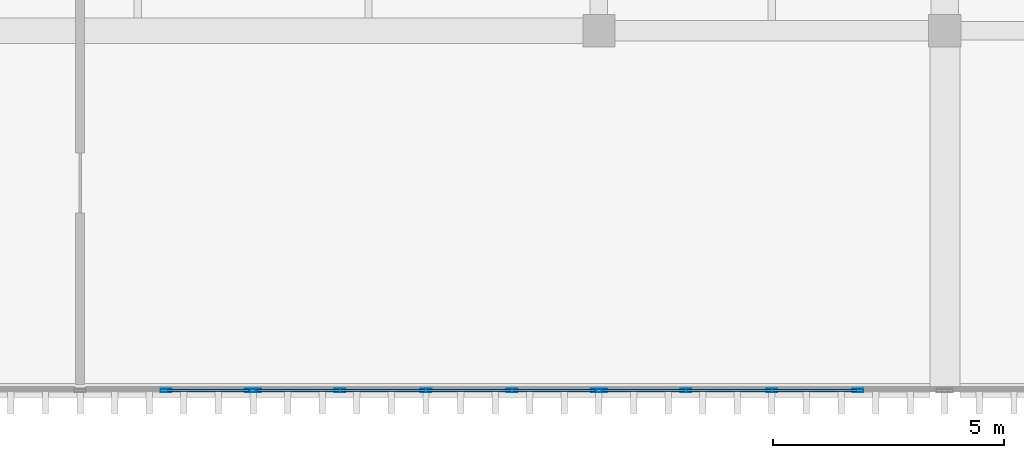
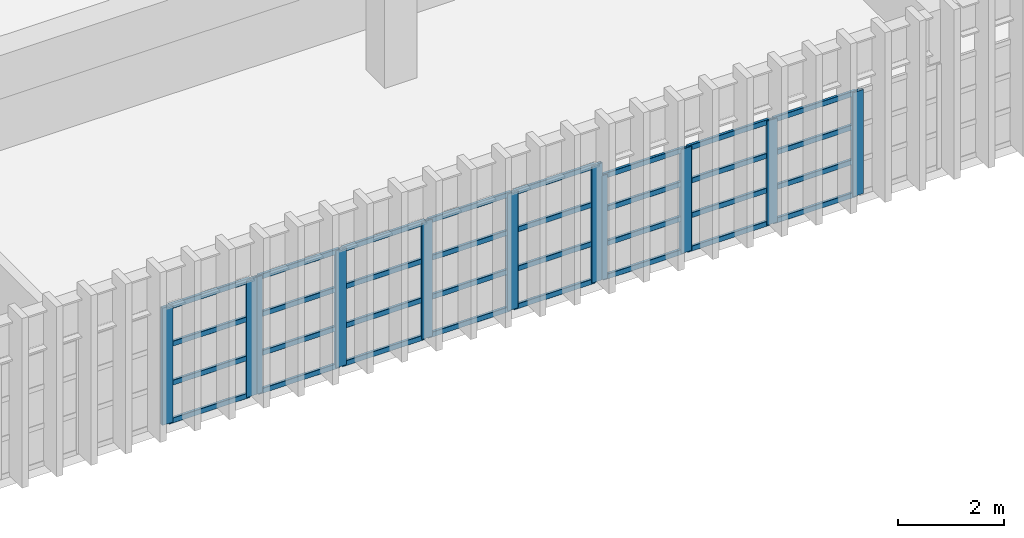
# One storey, part 29 of 82: 43 members, 3 elements without a shape of their own.
"""IFC4 building model written with IfcOpenShell, lengths in metres."""

from ifc_helpers import new_model, si_unit, direction, frame, origin, origin_2d, place, context, subcontext, project, spatial, hollow_rectangle, extrude, material, material_profile, profile_set, type_object, element, aggregate, save


model = new_model("IFC4")

# Units and contexts
model_context = context("Model", 3, precision=1e-05, world=origin(), true_north=direction((0.0, 1.0)))
body_context = subcontext(model_context, "Body", "Model", "MODEL_VIEW")
ifc_project = project(units=[si_unit("LENGTHUNIT", "METRE"), si_unit("AREAUNIT", "SQUARE_METRE"), si_unit("VOLUMEUNIT", "CUBIC_METRE"), si_unit("PLANEANGLEUNIT", "RADIAN"), si_unit("MASSUNIT", "GRAM", prefix="KILO")], contexts=[model_context])

# Site, building, storey
site_placement = place(None, origin())
site = spatial("IfcSite", under=ifc_project, at=site_placement, CompositionType="ELEMENT")
building_placement = place(site_placement, origin())
building = spatial("IfcBuilding", under=site, at=building_placement, Name="Qasida Concert Hall", CompositionType="ELEMENT")
storey_placement = place(building_placement, frame((0.0, 0.0, 17.10009765625)))
storey = spatial("IfcBuildingStorey", under=building, at=storey_placement, Name="L04", CompositionType="ELEMENT", Elevation=17.10009765625)

# Curtain wall, members
ifc_material_1 = material(Name="Architectural bronze-anodized aluminium and low-E glass", Category="aluminium")
curtain_wall_type = type_object("IfcCurtainWallType", Name="CW-10", PredefinedType="NOTDEFINED", material=ifc_material_1)
curtain_wall_1_placement = place(storey_placement, origin())
curtain_wall_1 = element("IfcCurtainWall", 1, at=curtain_wall_1_placement, inside=storey, type_object=curtain_wall_type, Name="L04 curtain wall CW-10 0025", PredefinedType="NOTDEFINED")
ifc_material_2 = material(Name="Architectural bronze-anodized aluminium EN AW-6063", Category="aluminium")
ifc_material_profile_1 = material_profile(ifc_material_2, hollow_rectangle(XDim=0.070068359375, YDim=0.239990234375, WallThickness=0.0048828125, InnerFilletRadius=0.0048828125, OuterFilletRadius=0.010009765625, at=origin_2d()), Name="CWM 240x70x5")
ifc_profile_set_1 = profile_set([ifc_material_profile_1], Name="Architectural bronze-anodized aluminium EN AW-6063")
member_type_1 = type_object("IfcMemberType", Name="MB-CWM-1", PredefinedType="MULLION", material=ifc_profile_set_1)
member_1_placement = place(storey_placement, frame((80.614990234375, 14.699951171875, 0.0), z_axis=(0.0, 0.0, 1.0), x_axis=(0.0, 1.0, 0.0)))
member_1 = element("IfcMember", 2, at=member_1_placement, type_object=member_type_1, Name="CW-10 mullion 4", PredefinedType="MULLION", context=body_context, shape_type="SweptSolid", body=[
    extrude(hollow_rectangle(XDim=0.070068359375, YDim=0.239990234375, WallThickness=0.0048828125, InnerFilletRadius=0.0048828125, OuterFilletRadius=0.010009765625, at=origin_2d()), origin(), (0.0, 0.0, 1.0), 2.68994140625),
])
member_2_placement = place(storey_placement, frame((82.445068359375, 14.699951171875, 0.0), z_axis=(0.0, 0.0, 1.0), x_axis=(0.0, 1.0, 0.0)))
member_2 = element("IfcMember", 3, at=member_2_placement, type_object=member_type_1, Name="CW-10 mullion 5", PredefinedType="MULLION", context=body_context, shape_type="SweptSolid", body=[
    extrude(hollow_rectangle(XDim=0.070068359375, YDim=0.239990234375, WallThickness=0.0048828125, InnerFilletRadius=0.0048828125, OuterFilletRadius=0.010009765625, at=origin_2d()), origin(), (0.0, 0.0, 1.0), 2.68994140625),
])

curtain_wall_2_placement = place(storey_placement, origin())
curtain_wall_2 = element("IfcCurtainWall", 4, at=curtain_wall_2_placement, inside=storey, type_object=curtain_wall_type, Name="L04 curtain wall CW-10 0026", PredefinedType="NOTDEFINED")
member_3_placement = place(storey_placement, frame((82.554931640625, 14.699951171875, 0.0), z_axis=(0.0, 0.0, 1.0), x_axis=(0.0, 1.0, 0.0)))
member_3 = element("IfcMember", 5, at=member_3_placement, type_object=member_type_1, Name="CW-10 mullion 1", PredefinedType="MULLION", context=body_context, shape_type="SweptSolid", body=[
    extrude(hollow_rectangle(XDim=0.070068359375, YDim=0.239990234375, WallThickness=0.0048828125, InnerFilletRadius=0.0048828125, OuterFilletRadius=0.010009765625, at=origin_2d()), origin(), (0.0, 0.0, 1.0), 2.68994140625),
])
member_4_placement = place(storey_placement, frame((84.385009765625, 14.699951171875, 0.0), z_axis=(0.0, 0.0, 1.0), x_axis=(0.0, 1.0, 0.0)))
member_4 = element("IfcMember", 6, at=member_4_placement, type_object=member_type_1, Name="CW-10 mullion 2", PredefinedType="MULLION", context=body_context, shape_type="SweptSolid", body=[
    extrude(hollow_rectangle(XDim=0.070068359375, YDim=0.239990234375, WallThickness=0.0048828125, InnerFilletRadius=0.0048828125, OuterFilletRadius=0.010009765625, at=origin_2d()), origin(), (0.0, 0.0, 1.0), 2.68994140625),
])
member_5_placement = place(storey_placement, frame((86.25, 14.699951171875, 0.0), z_axis=(0.0, 0.0, 1.0), x_axis=(0.0, 1.0, 0.0)))
member_5 = element("IfcMember", 7, at=member_5_placement, type_object=member_type_1, Name="CW-10 mullion 3", PredefinedType="MULLION", context=body_context, shape_type="SweptSolid", body=[
    extrude(hollow_rectangle(XDim=0.070068359375, YDim=0.239990234375, WallThickness=0.0048828125, InnerFilletRadius=0.0048828125, OuterFilletRadius=0.010009765625, at=origin_2d()), origin(), (0.0, 0.0, 1.0), 2.68994140625),
])
member_6_placement = place(storey_placement, frame((88.114990234375, 14.699951171875, 0.0), z_axis=(0.0, 0.0, 1.0), x_axis=(0.0, 1.0, 0.0)))
member_6 = element("IfcMember", 8, at=member_6_placement, type_object=member_type_1, Name="CW-10 mullion 4", PredefinedType="MULLION", context=body_context, shape_type="SweptSolid", body=[
    extrude(hollow_rectangle(XDim=0.070068359375, YDim=0.239990234375, WallThickness=0.0048828125, InnerFilletRadius=0.0048828125, OuterFilletRadius=0.010009765625, at=origin_2d()), origin(), (0.0, 0.0, 1.0), 2.68994140625),
])
member_7_placement = place(storey_placement, frame((89.945068359375, 14.699951171875, 0.0), z_axis=(0.0, 0.0, 1.0), x_axis=(0.0, 1.0, 0.0)))
member_7 = element("IfcMember", 9, at=member_7_placement, type_object=member_type_1, Name="CW-10 mullion 5", PredefinedType="MULLION", context=body_context, shape_type="SweptSolid", body=[
    extrude(hollow_rectangle(XDim=0.070068359375, YDim=0.239990234375, WallThickness=0.0048828125, InnerFilletRadius=0.0048828125, OuterFilletRadius=0.010009765625, at=origin_2d()), origin(), (0.0, 0.0, 1.0), 2.68994140625),
])

curtain_wall_3_placement = place(storey_placement, origin())
curtain_wall_3 = element("IfcCurtainWall", 10, at=curtain_wall_3_placement, inside=storey, type_object=curtain_wall_type, Name="L04 curtain wall CW-10 0027", PredefinedType="NOTDEFINED")
member_8_placement = place(storey_placement, frame((90.054931640625, 14.699951171875, 0.0), z_axis=(0.0, 0.0, 1.0), x_axis=(0.0, 1.0, 0.0)))
member_8 = element("IfcMember", 11, at=member_8_placement, type_object=member_type_1, Name="CW-10 mullion 1", PredefinedType="MULLION", context=body_context, shape_type="SweptSolid", body=[
    extrude(hollow_rectangle(XDim=0.070068359375, YDim=0.239990234375, WallThickness=0.0048828125, InnerFilletRadius=0.0048828125, OuterFilletRadius=0.010009765625, at=origin_2d()), origin(), (0.0, 0.0, 1.0), 2.389892578125),
])
member_9_placement = place(storey_placement, frame((91.885009765625, 14.699951171875, 0.0), z_axis=(0.0, 0.0, 1.0), x_axis=(0.0, 1.0, 0.0)))
member_9 = element("IfcMember", 12, at=member_9_placement, type_object=member_type_1, Name="CW-10 mullion 2", PredefinedType="MULLION", context=body_context, shape_type="SweptSolid", body=[
    extrude(hollow_rectangle(XDim=0.070068359375, YDim=0.239990234375, WallThickness=0.0048828125, InnerFilletRadius=0.0048828125, OuterFilletRadius=0.010009765625, at=origin_2d()), origin(), (0.0, 0.0, 1.0), 2.389892578125),
])
member_10_placement = place(storey_placement, frame((93.75, 14.699951171875, 0.0), z_axis=(0.0, 0.0, 1.0), x_axis=(0.0, 1.0, 0.0)))
member_10 = element("IfcMember", 13, at=member_10_placement, type_object=member_type_1, Name="CW-10 mullion 3", PredefinedType="MULLION", context=body_context, shape_type="SweptSolid", body=[
    extrude(hollow_rectangle(XDim=0.070068359375, YDim=0.239990234375, WallThickness=0.0048828125, InnerFilletRadius=0.0048828125, OuterFilletRadius=0.010009765625, at=origin_2d()), origin(), (0.0, 0.0, 1.0), 2.389892578125),
])
member_11_placement = place(storey_placement, frame((95.614990234375, 14.699951171875, 0.0), z_axis=(0.0, 0.0, 1.0), x_axis=(0.0, 1.0, 0.0)))
member_11 = element("IfcMember", 14, at=member_11_placement, type_object=member_type_1, Name="CW-10 mullion 4", PredefinedType="MULLION", context=body_context, shape_type="SweptSolid", body=[
    extrude(hollow_rectangle(XDim=0.070068359375, YDim=0.239990234375, WallThickness=0.0048828125, InnerFilletRadius=0.0048828125, OuterFilletRadius=0.010009765625, at=origin_2d()), origin(), (0.0, 0.0, 1.0), 2.389892578125),
])

# Member
ifc_material_profile_2 = material_profile(ifc_material_2, hollow_rectangle(XDim=0.06005859375, YDim=0.1201171875, WallThickness=0.00390625, InnerFilletRadius=0.00390625, OuterFilletRadius=0.008056640625, at=origin_2d()), Name="CWT 120x60x4")
ifc_profile_set_2 = profile_set([ifc_material_profile_2], Name="Architectural bronze-anodized aluminium EN AW-6063")
member_type_2 = type_object("IfcMemberType", Name="MB-CWT-2", PredefinedType="USERDEFINED", material=ifc_profile_set_2)
member_12_placement = place(storey_placement, frame((80.64990234375, 14.699951171875, 0.02978515625), z_axis=(1.0, 0.0, 0.0), x_axis=(0.0, 1.0, 0.0)))
member_12 = element("IfcMember", 15, at=member_12_placement, type_object=member_type_2, Name="CW-10 transom 4.1", ObjectType="TRANSOM", PredefinedType="USERDEFINED", context=body_context, shape_type="SweptSolid", body=[
    extrude(hollow_rectangle(XDim=0.06005859375, YDim=0.1201171875, WallThickness=0.00390625, InnerFilletRadius=0.00390625, OuterFilletRadius=0.008056640625, at=origin_2d()), origin(), (0.0, 0.0, 1.0), 1.760009765625),
])

member_13_placement = place(storey_placement, frame((80.64990234375, 14.699951171875, 0.896484375), z_axis=(1.0, 0.0, 0.0), x_axis=(0.0, 1.0, 0.0)))
member_13 = element("IfcMember", 16, at=member_13_placement, type_object=member_type_2, Name="CW-10 transom 4.2", ObjectType="TRANSOM", PredefinedType="USERDEFINED", context=body_context, shape_type="SweptSolid", body=[
    extrude(hollow_rectangle(XDim=0.06005859375, YDim=0.1201171875, WallThickness=0.00390625, InnerFilletRadius=0.00390625, OuterFilletRadius=0.008056640625, at=origin_2d()), origin(), (0.0, 0.0, 1.0), 1.760009765625),
])

member_14_placement = place(storey_placement, frame((80.64990234375, 14.699951171875, 1.793212890625), z_axis=(1.0, 0.0, 0.0), x_axis=(0.0, 1.0, 0.0)))
member_14 = element("IfcMember", 17, at=member_14_placement, type_object=member_type_2, Name="CW-10 transom 4.3", ObjectType="TRANSOM", PredefinedType="USERDEFINED", context=body_context, shape_type="SweptSolid", body=[
    extrude(hollow_rectangle(XDim=0.06005859375, YDim=0.1201171875, WallThickness=0.00390625, InnerFilletRadius=0.00390625, OuterFilletRadius=0.008056640625, at=origin_2d()), origin(), (0.0, 0.0, 1.0), 1.760009765625),
])

member_15_placement = place(storey_placement, frame((80.64990234375, 14.699951171875, 2.659912109375), z_axis=(1.0, 0.0, 0.0), x_axis=(0.0, 1.0, 0.0)))
member_15 = element("IfcMember", 18, at=member_15_placement, type_object=member_type_2, Name="CW-10 transom 4.4", ObjectType="TRANSOM", PredefinedType="USERDEFINED", context=body_context, shape_type="SweptSolid", body=[
    extrude(hollow_rectangle(XDim=0.06005859375, YDim=0.1201171875, WallThickness=0.00390625, InnerFilletRadius=0.00390625, OuterFilletRadius=0.008056640625, at=origin_2d()), origin(), (0.0, 0.0, 1.0), 1.760009765625),
])

aggregate(curtain_wall_1, [member_1, member_2, member_12, member_13, member_14, member_15])

member_16_placement = place(storey_placement, frame((82.590087890625, 14.699951171875, 0.02978515625), z_axis=(1.0, 0.0, 0.0), x_axis=(0.0, 1.0, 0.0)))
member_16 = element("IfcMember", 19, at=member_16_placement, type_object=member_type_2, Name="CW-10 transom 1.1", ObjectType="TRANSOM", PredefinedType="USERDEFINED", context=body_context, shape_type="SweptSolid", body=[
    extrude(hollow_rectangle(XDim=0.06005859375, YDim=0.1201171875, WallThickness=0.00390625, InnerFilletRadius=0.00390625, OuterFilletRadius=0.008056640625, at=origin_2d()), origin(), (0.0, 0.0, 1.0), 1.760009765625),
])

member_17_placement = place(storey_placement, frame((82.590087890625, 14.699951171875, 0.896484375), z_axis=(1.0, 0.0, 0.0), x_axis=(0.0, 1.0, 0.0)))
member_17 = element("IfcMember", 20, at=member_17_placement, type_object=member_type_2, Name="CW-10 transom 1.2", ObjectType="TRANSOM", PredefinedType="USERDEFINED", context=body_context, shape_type="SweptSolid", body=[
    extrude(hollow_rectangle(XDim=0.06005859375, YDim=0.1201171875, WallThickness=0.00390625, InnerFilletRadius=0.00390625, OuterFilletRadius=0.008056640625, at=origin_2d()), origin(), (0.0, 0.0, 1.0), 1.760009765625),
])

member_18_placement = place(storey_placement, frame((82.590087890625, 14.699951171875, 1.793212890625), z_axis=(1.0, 0.0, 0.0), x_axis=(0.0, 1.0, 0.0)))
member_18 = element("IfcMember", 21, at=member_18_placement, type_object=member_type_2, Name="CW-10 transom 1.3", ObjectType="TRANSOM", PredefinedType="USERDEFINED", context=body_context, shape_type="SweptSolid", body=[
    extrude(hollow_rectangle(XDim=0.06005859375, YDim=0.1201171875, WallThickness=0.00390625, InnerFilletRadius=0.00390625, OuterFilletRadius=0.008056640625, at=origin_2d()), origin(), (0.0, 0.0, 1.0), 1.760009765625),
])

member_19_placement = place(storey_placement, frame((82.590087890625, 14.699951171875, 2.659912109375), z_axis=(1.0, 0.0, 0.0), x_axis=(0.0, 1.0, 0.0)))
member_19 = element("IfcMember", 22, at=member_19_placement, type_object=member_type_2, Name="CW-10 transom 1.4", ObjectType="TRANSOM", PredefinedType="USERDEFINED", context=body_context, shape_type="SweptSolid", body=[
    extrude(hollow_rectangle(XDim=0.06005859375, YDim=0.1201171875, WallThickness=0.00390625, InnerFilletRadius=0.00390625, OuterFilletRadius=0.008056640625, at=origin_2d()), origin(), (0.0, 0.0, 1.0), 1.760009765625),
])

member_20_placement = place(storey_placement, frame((84.419921875, 14.699951171875, 0.02978515625), z_axis=(1.0, 0.0, 0.0), x_axis=(0.0, 1.0, 0.0)))
member_20 = element("IfcMember", 23, at=member_20_placement, type_object=member_type_2, Name="CW-10 transom 2.1", ObjectType="TRANSOM", PredefinedType="USERDEFINED", context=body_context, shape_type="SweptSolid", body=[
    extrude(hollow_rectangle(XDim=0.06005859375, YDim=0.1201171875, WallThickness=0.00390625, InnerFilletRadius=0.00390625, OuterFilletRadius=0.008056640625, at=origin_2d()), origin(), (0.0, 0.0, 1.0), 1.795166015625),
])

member_21_placement = place(storey_placement, frame((84.419921875, 14.699951171875, 0.896484375), z_axis=(1.0, 0.0, 0.0), x_axis=(0.0, 1.0, 0.0)))
member_21 = element("IfcMember", 24, at=member_21_placement, type_object=member_type_2, Name="CW-10 transom 2.2", ObjectType="TRANSOM", PredefinedType="USERDEFINED", context=body_context, shape_type="SweptSolid", body=[
    extrude(hollow_rectangle(XDim=0.06005859375, YDim=0.1201171875, WallThickness=0.00390625, InnerFilletRadius=0.00390625, OuterFilletRadius=0.008056640625, at=origin_2d()), origin(), (0.0, 0.0, 1.0), 1.795166015625),
])

member_22_placement = place(storey_placement, frame((84.419921875, 14.699951171875, 1.793212890625), z_axis=(1.0, 0.0, 0.0), x_axis=(0.0, 1.0, 0.0)))
member_22 = element("IfcMember", 25, at=member_22_placement, type_object=member_type_2, Name="CW-10 transom 2.3", ObjectType="TRANSOM", PredefinedType="USERDEFINED", context=body_context, shape_type="SweptSolid", body=[
    extrude(hollow_rectangle(XDim=0.06005859375, YDim=0.1201171875, WallThickness=0.00390625, InnerFilletRadius=0.00390625, OuterFilletRadius=0.008056640625, at=origin_2d()), origin(), (0.0, 0.0, 1.0), 1.795166015625),
])

member_23_placement = place(storey_placement, frame((84.419921875, 14.699951171875, 2.659912109375), z_axis=(1.0, 0.0, 0.0), x_axis=(0.0, 1.0, 0.0)))
member_23 = element("IfcMember", 26, at=member_23_placement, type_object=member_type_2, Name="CW-10 transom 2.4", ObjectType="TRANSOM", PredefinedType="USERDEFINED", context=body_context, shape_type="SweptSolid", body=[
    extrude(hollow_rectangle(XDim=0.06005859375, YDim=0.1201171875, WallThickness=0.00390625, InnerFilletRadius=0.00390625, OuterFilletRadius=0.008056640625, at=origin_2d()), origin(), (0.0, 0.0, 1.0), 1.795166015625),
])

member_24_placement = place(storey_placement, frame((86.284912109375, 14.699951171875, 0.02978515625), z_axis=(1.0, 0.0, 0.0), x_axis=(0.0, 1.0, 0.0)))
member_24 = element("IfcMember", 27, at=member_24_placement, type_object=member_type_2, Name="CW-10 transom 3.1", ObjectType="TRANSOM", PredefinedType="USERDEFINED", context=body_context, shape_type="SweptSolid", body=[
    extrude(hollow_rectangle(XDim=0.06005859375, YDim=0.1201171875, WallThickness=0.00390625, InnerFilletRadius=0.00390625, OuterFilletRadius=0.008056640625, at=origin_2d()), origin(), (0.0, 0.0, 1.0), 1.795166015625),
])

member_25_placement = place(storey_placement, frame((86.284912109375, 14.699951171875, 0.896484375), z_axis=(1.0, 0.0, 0.0), x_axis=(0.0, 1.0, 0.0)))
member_25 = element("IfcMember", 28, at=member_25_placement, type_object=member_type_2, Name="CW-10 transom 3.2", ObjectType="TRANSOM", PredefinedType="USERDEFINED", context=body_context, shape_type="SweptSolid", body=[
    extrude(hollow_rectangle(XDim=0.06005859375, YDim=0.1201171875, WallThickness=0.00390625, InnerFilletRadius=0.00390625, OuterFilletRadius=0.008056640625, at=origin_2d()), origin(), (0.0, 0.0, 1.0), 1.795166015625),
])

member_26_placement = place(storey_placement, frame((86.284912109375, 14.699951171875, 1.793212890625), z_axis=(1.0, 0.0, 0.0), x_axis=(0.0, 1.0, 0.0)))
member_26 = element("IfcMember", 29, at=member_26_placement, type_object=member_type_2, Name="CW-10 transom 3.3", ObjectType="TRANSOM", PredefinedType="USERDEFINED", context=body_context, shape_type="SweptSolid", body=[
    extrude(hollow_rectangle(XDim=0.06005859375, YDim=0.1201171875, WallThickness=0.00390625, InnerFilletRadius=0.00390625, OuterFilletRadius=0.008056640625, at=origin_2d()), origin(), (0.0, 0.0, 1.0), 1.795166015625),
])

member_27_placement = place(storey_placement, frame((86.284912109375, 14.699951171875, 2.659912109375), z_axis=(1.0, 0.0, 0.0), x_axis=(0.0, 1.0, 0.0)))
member_27 = element("IfcMember", 30, at=member_27_placement, type_object=member_type_2, Name="CW-10 transom 3.4", ObjectType="TRANSOM", PredefinedType="USERDEFINED", context=body_context, shape_type="SweptSolid", body=[
    extrude(hollow_rectangle(XDim=0.06005859375, YDim=0.1201171875, WallThickness=0.00390625, InnerFilletRadius=0.00390625, OuterFilletRadius=0.008056640625, at=origin_2d()), origin(), (0.0, 0.0, 1.0), 1.795166015625),
])

member_28_placement = place(storey_placement, frame((88.14990234375, 14.699951171875, 0.02978515625), z_axis=(1.0, 0.0, 0.0), x_axis=(0.0, 1.0, 0.0)))
member_28 = element("IfcMember", 31, at=member_28_placement, type_object=member_type_2, Name="CW-10 transom 4.1", ObjectType="TRANSOM", PredefinedType="USERDEFINED", context=body_context, shape_type="SweptSolid", body=[
    extrude(hollow_rectangle(XDim=0.06005859375, YDim=0.1201171875, WallThickness=0.00390625, InnerFilletRadius=0.00390625, OuterFilletRadius=0.008056640625, at=origin_2d()), origin(), (0.0, 0.0, 1.0), 1.760009765625),
])

member_29_placement = place(storey_placement, frame((88.14990234375, 14.699951171875, 0.896484375), z_axis=(1.0, 0.0, 0.0), x_axis=(0.0, 1.0, 0.0)))
member_29 = element("IfcMember", 32, at=member_29_placement, type_object=member_type_2, Name="CW-10 transom 4.2", ObjectType="TRANSOM", PredefinedType="USERDEFINED", context=body_context, shape_type="SweptSolid", body=[
    extrude(hollow_rectangle(XDim=0.06005859375, YDim=0.1201171875, WallThickness=0.00390625, InnerFilletRadius=0.00390625, OuterFilletRadius=0.008056640625, at=origin_2d()), origin(), (0.0, 0.0, 1.0), 1.760009765625),
])

member_30_placement = place(storey_placement, frame((88.14990234375, 14.699951171875, 1.793212890625), z_axis=(1.0, 0.0, 0.0), x_axis=(0.0, 1.0, 0.0)))
member_30 = element("IfcMember", 33, at=member_30_placement, type_object=member_type_2, Name="CW-10 transom 4.3", ObjectType="TRANSOM", PredefinedType="USERDEFINED", context=body_context, shape_type="SweptSolid", body=[
    extrude(hollow_rectangle(XDim=0.06005859375, YDim=0.1201171875, WallThickness=0.00390625, InnerFilletRadius=0.00390625, OuterFilletRadius=0.008056640625, at=origin_2d()), origin(), (0.0, 0.0, 1.0), 1.760009765625),
])

member_31_placement = place(storey_placement, frame((88.14990234375, 14.699951171875, 2.659912109375), z_axis=(1.0, 0.0, 0.0), x_axis=(0.0, 1.0, 0.0)))
member_31 = element("IfcMember", 34, at=member_31_placement, type_object=member_type_2, Name="CW-10 transom 4.4", ObjectType="TRANSOM", PredefinedType="USERDEFINED", context=body_context, shape_type="SweptSolid", body=[
    extrude(hollow_rectangle(XDim=0.06005859375, YDim=0.1201171875, WallThickness=0.00390625, InnerFilletRadius=0.00390625, OuterFilletRadius=0.008056640625, at=origin_2d()), origin(), (0.0, 0.0, 1.0), 1.760009765625),
])

aggregate(curtain_wall_2, [member_3, member_4, member_5, member_6, member_7, member_16, member_17, member_18, member_19, member_20, member_21, member_22, member_23, member_24, member_25, member_26, member_27, member_28, member_29, member_30, member_31])

member_32_placement = place(storey_placement, frame((90.090087890625, 14.699951171875, 0.02978515625), z_axis=(1.0, 0.0, 0.0), x_axis=(0.0, 1.0, 0.0)))
member_32 = element("IfcMember", 35, at=member_32_placement, type_object=member_type_2, Name="CW-10 transom 1.1", ObjectType="TRANSOM", PredefinedType="USERDEFINED", context=body_context, shape_type="SweptSolid", body=[
    extrude(hollow_rectangle(XDim=0.06005859375, YDim=0.1201171875, WallThickness=0.00390625, InnerFilletRadius=0.00390625, OuterFilletRadius=0.008056640625, at=origin_2d()), origin(), (0.0, 0.0, 1.0), 1.760009765625),
])

member_33_placement = place(storey_placement, frame((90.090087890625, 14.699951171875, 0.796630859375), z_axis=(1.0, 0.0, 0.0), x_axis=(0.0, 1.0, 0.0)))
member_33 = element("IfcMember", 36, at=member_33_placement, type_object=member_type_2, Name="CW-10 transom 1.2", ObjectType="TRANSOM", PredefinedType="USERDEFINED", context=body_context, shape_type="SweptSolid", body=[
    extrude(hollow_rectangle(XDim=0.06005859375, YDim=0.1201171875, WallThickness=0.00390625, InnerFilletRadius=0.00390625, OuterFilletRadius=0.008056640625, at=origin_2d()), origin(), (0.0, 0.0, 1.0), 1.760009765625),
])

member_34_placement = place(storey_placement, frame((90.090087890625, 14.699951171875, 1.59326171875), z_axis=(1.0, 0.0, 0.0), x_axis=(0.0, 1.0, 0.0)))
member_34 = element("IfcMember", 37, at=member_34_placement, type_object=member_type_2, Name="CW-10 transom 1.3", ObjectType="TRANSOM", PredefinedType="USERDEFINED", context=body_context, shape_type="SweptSolid", body=[
    extrude(hollow_rectangle(XDim=0.06005859375, YDim=0.1201171875, WallThickness=0.00390625, InnerFilletRadius=0.00390625, OuterFilletRadius=0.008056640625, at=origin_2d()), origin(), (0.0, 0.0, 1.0), 1.760009765625),
])

member_35_placement = place(storey_placement, frame((90.090087890625, 14.699951171875, 2.35986328125), z_axis=(1.0, 0.0, 0.0), x_axis=(0.0, 1.0, 0.0)))
member_35 = element("IfcMember", 38, at=member_35_placement, type_object=member_type_2, Name="CW-10 transom 1.4", ObjectType="TRANSOM", PredefinedType="USERDEFINED", context=body_context, shape_type="SweptSolid", body=[
    extrude(hollow_rectangle(XDim=0.06005859375, YDim=0.1201171875, WallThickness=0.00390625, InnerFilletRadius=0.00390625, OuterFilletRadius=0.008056640625, at=origin_2d()), origin(), (0.0, 0.0, 1.0), 1.760009765625),
])

member_36_placement = place(storey_placement, frame((91.919921875, 14.699951171875, 0.02978515625), z_axis=(1.0, 0.0, 0.0), x_axis=(0.0, 1.0, 0.0)))
member_36 = element("IfcMember", 39, at=member_36_placement, type_object=member_type_2, Name="CW-10 transom 2.1", ObjectType="TRANSOM", PredefinedType="USERDEFINED", context=body_context, shape_type="SweptSolid", body=[
    extrude(hollow_rectangle(XDim=0.06005859375, YDim=0.1201171875, WallThickness=0.00390625, InnerFilletRadius=0.00390625, OuterFilletRadius=0.008056640625, at=origin_2d()), origin(), (0.0, 0.0, 1.0), 1.795166015625),
])

member_37_placement = place(storey_placement, frame((91.919921875, 14.699951171875, 0.796630859375), z_axis=(1.0, 0.0, 0.0), x_axis=(0.0, 1.0, 0.0)))
member_37 = element("IfcMember", 40, at=member_37_placement, type_object=member_type_2, Name="CW-10 transom 2.2", ObjectType="TRANSOM", PredefinedType="USERDEFINED", context=body_context, shape_type="SweptSolid", body=[
    extrude(hollow_rectangle(XDim=0.06005859375, YDim=0.1201171875, WallThickness=0.00390625, InnerFilletRadius=0.00390625, OuterFilletRadius=0.008056640625, at=origin_2d()), origin(), (0.0, 0.0, 1.0), 1.795166015625),
])

member_38_placement = place(storey_placement, frame((91.919921875, 14.699951171875, 1.59326171875), z_axis=(1.0, 0.0, 0.0), x_axis=(0.0, 1.0, 0.0)))
member_38 = element("IfcMember", 41, at=member_38_placement, type_object=member_type_2, Name="CW-10 transom 2.3", ObjectType="TRANSOM", PredefinedType="USERDEFINED", context=body_context, shape_type="SweptSolid", body=[
    extrude(hollow_rectangle(XDim=0.06005859375, YDim=0.1201171875, WallThickness=0.00390625, InnerFilletRadius=0.00390625, OuterFilletRadius=0.008056640625, at=origin_2d()), origin(), (0.0, 0.0, 1.0), 1.795166015625),
])

member_39_placement = place(storey_placement, frame((91.919921875, 14.699951171875, 2.35986328125), z_axis=(1.0, 0.0, 0.0), x_axis=(0.0, 1.0, 0.0)))
member_39 = element("IfcMember", 42, at=member_39_placement, type_object=member_type_2, Name="CW-10 transom 2.4", ObjectType="TRANSOM", PredefinedType="USERDEFINED", context=body_context, shape_type="SweptSolid", body=[
    extrude(hollow_rectangle(XDim=0.06005859375, YDim=0.1201171875, WallThickness=0.00390625, InnerFilletRadius=0.00390625, OuterFilletRadius=0.008056640625, at=origin_2d()), origin(), (0.0, 0.0, 1.0), 1.795166015625),
])

member_40_placement = place(storey_placement, frame((93.784912109375, 14.699951171875, 0.02978515625), z_axis=(1.0, 0.0, 0.0), x_axis=(0.0, 1.0, 0.0)))
member_40 = element("IfcMember", 43, at=member_40_placement, type_object=member_type_2, Name="CW-10 transom 3.1", ObjectType="TRANSOM", PredefinedType="USERDEFINED", context=body_context, shape_type="SweptSolid", body=[
    extrude(hollow_rectangle(XDim=0.06005859375, YDim=0.1201171875, WallThickness=0.00390625, InnerFilletRadius=0.00390625, OuterFilletRadius=0.008056640625, at=origin_2d()), origin(), (0.0, 0.0, 1.0), 1.795166015625),
])

member_41_placement = place(storey_placement, frame((93.784912109375, 14.699951171875, 0.796630859375), z_axis=(1.0, 0.0, 0.0), x_axis=(0.0, 1.0, 0.0)))
member_41 = element("IfcMember", 44, at=member_41_placement, type_object=member_type_2, Name="CW-10 transom 3.2", ObjectType="TRANSOM", PredefinedType="USERDEFINED", context=body_context, shape_type="SweptSolid", body=[
    extrude(hollow_rectangle(XDim=0.06005859375, YDim=0.1201171875, WallThickness=0.00390625, InnerFilletRadius=0.00390625, OuterFilletRadius=0.008056640625, at=origin_2d()), origin(), (0.0, 0.0, 1.0), 1.795166015625),
])

member_42_placement = place(storey_placement, frame((93.784912109375, 14.699951171875, 1.59326171875), z_axis=(1.0, 0.0, 0.0), x_axis=(0.0, 1.0, 0.0)))
member_42 = element("IfcMember", 45, at=member_42_placement, type_object=member_type_2, Name="CW-10 transom 3.3", ObjectType="TRANSOM", PredefinedType="USERDEFINED", context=body_context, shape_type="SweptSolid", body=[
    extrude(hollow_rectangle(XDim=0.06005859375, YDim=0.1201171875, WallThickness=0.00390625, InnerFilletRadius=0.00390625, OuterFilletRadius=0.008056640625, at=origin_2d()), origin(), (0.0, 0.0, 1.0), 1.795166015625),
])

member_43_placement = place(storey_placement, frame((93.784912109375, 14.699951171875, 2.35986328125), z_axis=(1.0, 0.0, 0.0), x_axis=(0.0, 1.0, 0.0)))
member_43 = element("IfcMember", 46, at=member_43_placement, type_object=member_type_2, Name="CW-10 transom 3.4", ObjectType="TRANSOM", PredefinedType="USERDEFINED", context=body_context, shape_type="SweptSolid", body=[
    extrude(hollow_rectangle(XDim=0.06005859375, YDim=0.1201171875, WallThickness=0.00390625, InnerFilletRadius=0.00390625, OuterFilletRadius=0.008056640625, at=origin_2d()), origin(), (0.0, 0.0, 1.0), 1.795166015625),
])

aggregate(curtain_wall_3, [member_8, member_9, member_10, member_11, member_32, member_33, member_34, member_35, member_36, member_37, member_38, member_39, member_40, member_41, member_42, member_43])

save(model, "model.ifc")
